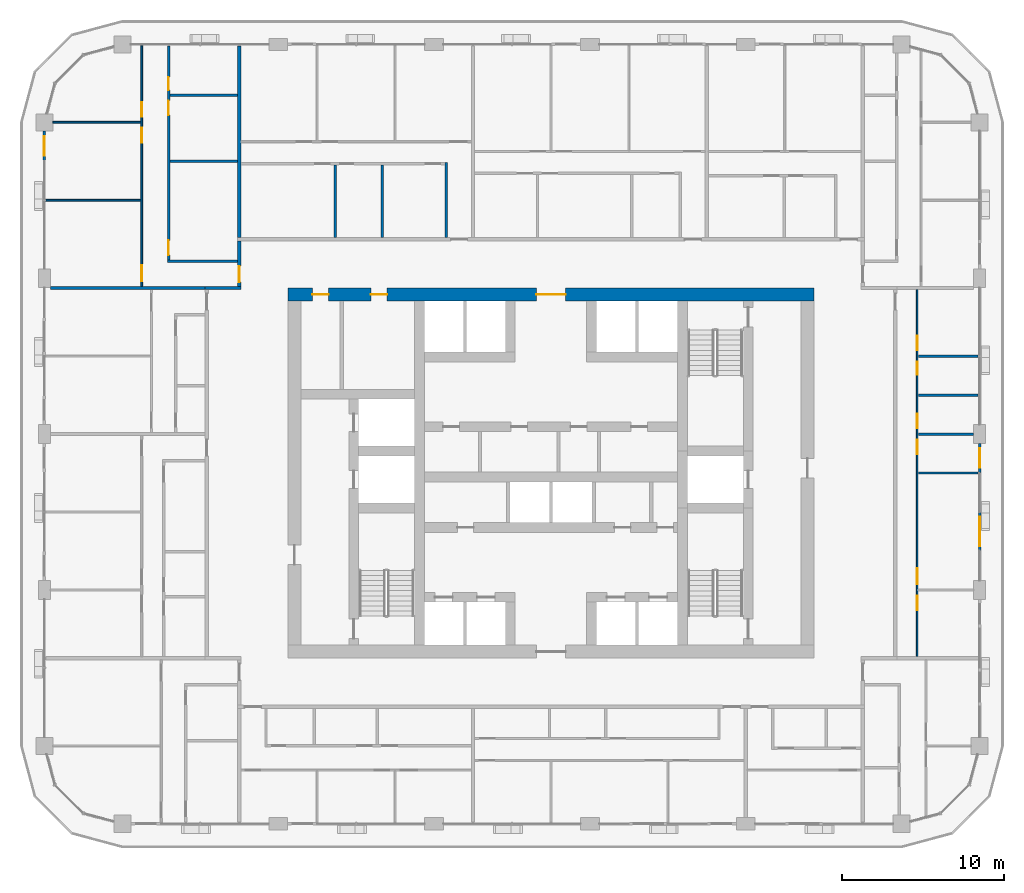
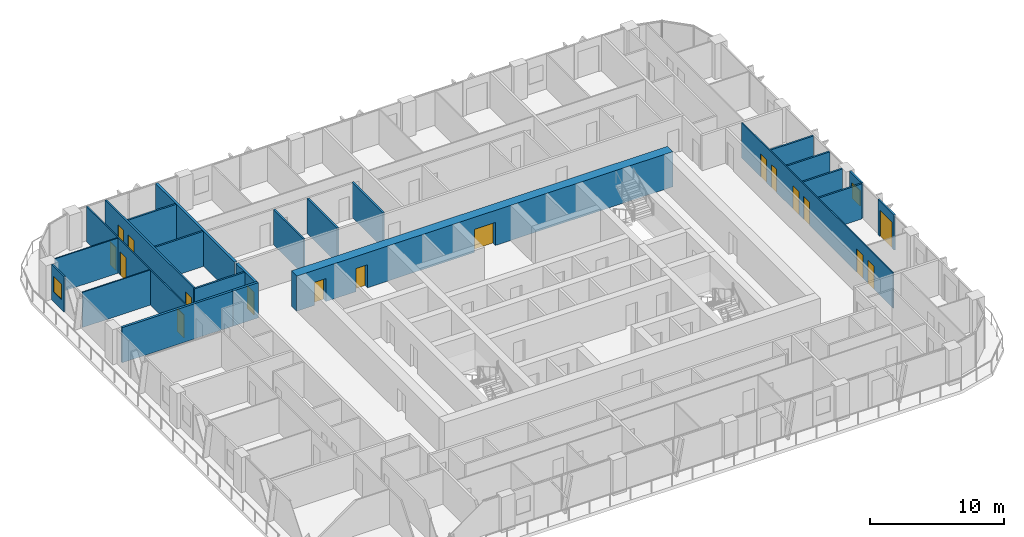
# One storey, part 13 of 22: 23 walls, 17 doors, 2 windows, 19 openings.
"""IFC4 building model written with IfcOpenShell, lengths in metres."""

from ifc_helpers import new_model, si_unit, direction, frame, frame_2d, origin, place, context, subcontext, project, spatial, rectangle, extrude, material, layer, layer_set, type_object, element, fill, save


model = new_model("IFC4")

# Units and contexts
model_context = context("Model", 3, precision=1e-05, world=origin(), true_north=direction((0.0, 1.0)))
body_context = subcontext(model_context, "Body", "Model", "MODEL_VIEW")
ifc_project = project(units=[si_unit("LENGTHUNIT", "METRE"), si_unit("AREAUNIT", "SQUARE_METRE"), si_unit("VOLUMEUNIT", "CUBIC_METRE"), si_unit("PLANEANGLEUNIT", "RADIAN"), si_unit("MASSUNIT", "GRAM", prefix="KILO")], contexts=[model_context])

# Site, building, storey
site_placement = place(None, origin())
site = spatial("IfcSite", under=ifc_project, at=site_placement, CompositionType="ELEMENT")
building_placement = place(site_placement, origin())
building = spatial("IfcBuilding", under=site, at=building_placement, Name="Madar Terraces", CompositionType="ELEMENT")
storey_placement = place(building_placement, frame((0.0, 0.0, 126.10009765625)))
storey = spatial("IfcBuildingStorey", under=building, at=storey_placement, Name="L32", CompositionType="ELEMENT", Elevation=126.10009765625)

# Wall, openings, doors
ifc_material_1 = material(Name="Concrete C70/85", Category="concrete")
ifc_layer_1 = layer(ifc_material_1, 0.800048828125)
ifc_layer_set_1 = layer_set([ifc_layer_1], Name="Concrete C70/85 (CRW3 RC wall 800)")
wall_type_1 = type_object("IfcWallType", Name="CRW3 RC wall 800", PredefinedType="SHEAR", material=ifc_layer_set_1)
wall_1_placement = place(storey_placement, frame((15.0, 37.39990234375, 0.0), z_axis=(0.0, 0.0, 1.0), x_axis=(1.0, 0.0, 0.0)))
wall_1 = element("IfcWall", 1, at=wall_1_placement, inside=storey, type_object=wall_type_1, Name="CORE OUTER WALL", PredefinedType="SHEAR", context=body_context, shape_type="SweptSolid", body=[
    extrude(rectangle(XDim=32.39990234375, YDim=0.800048828125, at=frame_2d((16.199951171875, 0.0))), origin(), (0.0, 0.0, 1.0), 3.199951171875),
])
opening_1_placement = place(wall_1_placement, frame((15.300048828125, 0.0, 0.0)))
opening_1 = element("IfcOpeningElement", 2, at=opening_1_placement, cuts=wall_1, Name="Opening KD1", PredefinedType="OPENING", context=body_context, shape_type="SweptSolid", body=[
    extrude(rectangle(XDim=1.800048828125, YDim=2.10009765625, at=frame_2d((0.89990234375, 1.050048828125))), frame((0.0, 0.409912109375, 0.0), z_axis=(0.0, -1.0, 0.0), x_axis=(1.0, 0.0, 0.0)), (0.0, 0.0, 1.0), 0.820068359375),
])
opening_2_placement = place(wall_1_placement, frame((1.510009765625, 0.0, 0.0)))
opening_2 = element("IfcOpeningElement", 3, at=opening_2_placement, cuts=wall_1, Name="Opening KD2", PredefinedType="OPENING", context=body_context, shape_type="SweptSolid", body=[
    extrude(rectangle(XDim=1.0, YDim=2.10009765625, at=frame_2d((0.5, 1.050048828125))), frame((0.0, 0.409912109375, 0.0), z_axis=(0.0, -1.0, 0.0), x_axis=(1.0, 0.0, 0.0)), (0.0, 0.0, 1.0), 0.820068359375),
])
opening_3_placement = place(wall_1_placement, frame((5.110107421875, 0.0, 0.0)))
opening_3 = element("IfcOpeningElement", 4, at=opening_3_placement, cuts=wall_1, Name="Opening KD2", PredefinedType="OPENING", context=body_context, shape_type="SweptSolid", body=[
    extrude(rectangle(XDim=1.0, YDim=2.10009765625, at=frame_2d((0.5, 1.050048828125))), frame((0.0, 0.409912109375, 0.0), z_axis=(0.0, -1.0, 0.0), x_axis=(1.0, 0.0, 0.0)), (0.0, 0.0, 1.0), 0.820068359375),
])
ifc_material_2 = material(Name="Steel door leaf", Category="steel")
door_type_1 = type_object("IfcDoorType", Name="Lobby door pair 1800 x 2100", OperationType="DOUBLE_DOOR_SINGLE_SWING", PredefinedType="DOOR", material=ifc_material_2)
door_1_placement = place(opening_1_placement, origin())
door_1 = element("IfcDoor", 5, at=door_1_placement, inside=storey, type_object=door_type_1, Name="LIFT LOBBY DOOR", OperationType="DOUBLE_DOOR_SINGLE_SWING", OverallHeight=2.10009765625, OverallWidth=1.800048828125, PredefinedType="DOOR", context=body_context, shape_type="SweptSolid", body=[
    extrude(rectangle(XDim=1.800048828125, YDim=2.10009765625, at=frame_2d((0.89990234375, 1.050048828125))), frame((0.0, 0.02490234375, 0.0), z_axis=(0.0, -1.0, 0.0), x_axis=(1.0, 0.0, 0.0)), (0.0, 0.0, 1.0), 0.050048828125),
])
fill(opening_1, door_1)
ifc_material_3 = material(Name="Steel door leaf", Category="steel")
door_type_2 = type_object("IfcDoorType", Name="Service room door 1000 x 2100", OperationType="NOTDEFINED", PredefinedType="DOOR", material=ifc_material_3)
door_2_placement = place(opening_2_placement, origin())
door_2 = element("IfcDoor", 6, at=door_2_placement, inside=storey, type_object=door_type_2, Name="SERVICE ROOM DOOR", OperationType="SINGLE_SWING_LEFT", OverallHeight=2.10009765625, OverallWidth=1.0, PredefinedType="DOOR", context=body_context, shape_type="SweptSolid", body=[
    extrude(rectangle(XDim=1.0, YDim=2.10009765625, at=frame_2d((0.5, 1.050048828125))), frame((0.0, 0.02490234375, 0.0), z_axis=(0.0, -1.0, 0.0), x_axis=(1.0, 0.0, 0.0)), (0.0, 0.0, 1.0), 0.050048828125),
])
fill(opening_2, door_2)
door_3_placement = place(opening_3_placement, origin())
door_3 = element("IfcDoor", 7, at=door_3_placement, inside=storey, type_object=door_type_2, Name="SERVICE ROOM DOOR", OperationType="SINGLE_SWING_RIGHT", OverallHeight=2.10009765625, OverallWidth=1.0, PredefinedType="DOOR", context=body_context, shape_type="SweptSolid", body=[
    extrude(rectangle(XDim=1.0, YDim=2.10009765625, at=frame_2d((0.5, 1.050048828125))), frame((0.0, 0.02490234375, 0.0), z_axis=(0.0, -1.0, 0.0), x_axis=(1.0, 0.0, 0.0)), (0.0, 0.0, 1.0), 0.050048828125),
])
fill(opening_3, door_3)

# Wall, opening, door
ifc_material_4 = material(Name="Aluminium composite panel, black, over insulated backing", Category="aluminium")
ifc_layer_2 = layer(ifc_material_4, 0.14990234375)
ifc_layer_set_2 = layer_set([ifc_layer_2], Name="Facade bay panel 150")
wall_type_2 = type_object("IfcWallType", Name="Facade bay panel 150", PredefinedType="SOLIDWALL", material=ifc_layer_set_2)
wall_2_placement = place(storey_placement, frame((57.60009765625, 21.60009765625, 0.0), z_axis=(0.0, 0.0, 1.0), x_axis=(0.0, 1.0, 0.0)))
wall_2 = element("IfcWall", 8, at=wall_2_placement, inside=storey, type_object=wall_type_2, Name="Facade bay panel", PredefinedType="SOLIDWALL", context=body_context, shape_type="SweptSolid", body=[
    extrude(rectangle(XDim=2.39990234375, YDim=0.14990234375, at=frame_2d((1.199951171875, 0.0))), origin(), (0.0, 0.0, 1.0), 3.199951171875),
])
opening_4_placement = place(wall_2_placement, frame((0.300048828125, 0.0, 0.0)))
opening_4 = element("IfcOpeningElement", 9, at=opening_4_placement, cuts=wall_2, Name="Opening ED1", PredefinedType="OPENING", context=body_context, shape_type="SweptSolid", body=[
    extrude(rectangle(XDim=1.800048828125, YDim=2.39990234375, at=frame_2d((0.89990234375, 1.199951171875))), frame((0.0, 0.0849609375, 0.0), z_axis=(0.0, -1.0, 0.0), x_axis=(1.0, 0.0, 0.0)), (0.0, 0.0, 1.0), 0.169921875),
])
ifc_material_5 = material(Name="Glass, clear, with black aluminium frame", Category="aluminium")
door_type_3 = type_object("IfcDoorType", Name="Balcony and terrace sliding door 1800 x 2400", OperationType="SLIDING_TO_LEFT", PredefinedType="DOOR", material=ifc_material_5)
door_4_placement = place(opening_4_placement, origin())
door_4 = element("IfcDoor", 10, at=door_4_placement, inside=storey, type_object=door_type_3, Name="Balcony door", OperationType="SLIDING_TO_RIGHT", OverallHeight=2.39990234375, OverallWidth=1.800048828125, PredefinedType="DOOR", context=body_context, shape_type="SweptSolid", body=[
    extrude(rectangle(XDim=1.800048828125, YDim=2.39990234375, at=frame_2d((0.89990234375, 1.199951171875))), frame((0.0, 0.02490234375, 0.0), z_axis=(0.0, -1.0, 0.0), x_axis=(1.0, 0.0, 0.0)), (0.0, 0.0, 1.0), 0.050048828125),
])
fill(opening_4, door_4)

# Wall, opening, window
wall_3_placement = place(storey_placement, frame((57.60009765625, 26.39990234375, 0.0), z_axis=(0.0, 0.0, 1.0), x_axis=(0.0, 1.0, 0.0)))
wall_3 = element("IfcWall", 11, at=wall_3_placement, inside=storey, type_object=wall_type_2, Name="Facade bay panel", PredefinedType="SOLIDWALL", context=body_context, shape_type="SweptSolid", body=[
    extrude(rectangle(XDim=1.8251953125, YDim=0.14990234375, at=frame_2d((0.91259765625, 0.0))), origin(), (0.0, 0.0, 1.0), 3.199951171875),
])
opening_5_placement = place(wall_3_placement, frame((0.3125, 0.0, 0.89990234375)))
opening_5 = element("IfcOpeningElement", 12, at=opening_5_placement, cuts=wall_3, Name="Opening W1", PredefinedType="OPENING", context=body_context, shape_type="SweptSolid", body=[
    extrude(rectangle(XDim=1.199951171875, YDim=1.39990234375, at=frame_2d((0.60009765625, 0.699951171875))), frame((0.0, 0.0849609375, 0.0), z_axis=(0.0, -1.0, 0.0), x_axis=(1.0, 0.0, 0.0)), (0.0, 0.0, 1.0), 0.169921875),
])
ifc_material_6 = material(Name="Glass, clear, with black aluminium frame", Category="aluminium")
window_type = type_object("IfcWindowType", Name="Vent window 1200 x 1400", PartitioningType="SINGLE_PANEL", PredefinedType="WINDOW", material=ifc_material_6)
window_1_placement = place(opening_5_placement, origin())
window_1 = element("IfcWindow", 13, at=window_1_placement, inside=storey, type_object=window_type, Name="Operable vent window", OverallHeight=1.39990234375, OverallWidth=1.199951171875, PartitioningType="SINGLE_PANEL", PredefinedType="WINDOW", context=body_context, shape_type="SweptSolid", body=[
    extrude(rectangle(XDim=1.199951171875, YDim=1.39990234375, at=frame_2d((0.60009765625, 0.699951171875))), frame((0.0, 0.030029296875, 0.0), z_axis=(0.0, -1.0, 0.0), x_axis=(1.0, 0.0, 0.0)), (0.0, 0.0, 1.0), 0.06005859375),
])
fill(opening_5, window_1)

wall_4_placement = place(storey_placement, frame((0.0, 47.47509765625, 0.0), z_axis=(0.0, 0.0, 1.0), x_axis=(0.0, -1.0, 0.0)))
wall_4 = element("IfcWall", 14, at=wall_4_placement, inside=storey, type_object=wall_type_2, Name="Facade bay panel", PredefinedType="SOLIDWALL", context=body_context, shape_type="SweptSolid", body=[
    extrude(rectangle(XDim=1.875, YDim=0.14990234375, at=frame_2d((0.9375, 0.0))), origin(), (0.0, 0.0, 1.0), 3.199951171875),
])
opening_6_placement = place(wall_4_placement, frame((0.33740234375, 0.0, 0.89990234375)))
opening_6 = element("IfcOpeningElement", 15, at=opening_6_placement, cuts=wall_4, Name="Opening W1", PredefinedType="OPENING", context=body_context, shape_type="SweptSolid", body=[
    extrude(rectangle(XDim=1.199951171875, YDim=1.39990234375, at=frame_2d((0.60009765625, 0.699951171875))), frame((0.0, 0.0849609375, 0.0), z_axis=(0.0, -1.0, 0.0), x_axis=(1.0, 0.0, 0.0)), (0.0, 0.0, 1.0), 0.169921875),
])
window_2_placement = place(opening_6_placement, origin())
window_2 = element("IfcWindow", 16, at=window_2_placement, inside=storey, type_object=window_type, Name="Operable vent window", OverallHeight=1.39990234375, OverallWidth=1.199951171875, PartitioningType="SINGLE_PANEL", PredefinedType="WINDOW", context=body_context, shape_type="SweptSolid", body=[
    extrude(rectangle(XDim=1.199951171875, YDim=1.39990234375, at=frame_2d((0.60009765625, 0.699951171875))), frame((0.0, 0.030029296875, 0.0), z_axis=(0.0, -1.0, 0.0), x_axis=(1.0, 0.0, 0.0)), (0.0, 0.0, 1.0), 0.06005859375),
])
fill(opening_6, window_2)

# Wall, openings, doors
ifc_material_7 = material(Name="Gypsum board on steel studs", Category="steel")
ifc_layer_3 = layer(ifc_material_7, 0.10009765625)
ifc_layer_set_3 = layer_set([ifc_layer_3], Name="Flat partition 100")
wall_type_3 = type_object("IfcWallType", Name="Flat partition 100", PredefinedType="PARTITIONING", material=ifc_layer_set_3)
wall_5_placement = place(storey_placement, frame((53.75, 37.699951171875, 0.0), z_axis=(0.0, 0.0, 1.0), x_axis=(0.0, -1.0, 0.0)))
wall_5 = element("IfcWall", 17, at=wall_5_placement, inside=storey, type_object=wall_type_3, Name="Flat partition 100", PredefinedType="PARTITIONING", context=body_context, shape_type="SweptSolid", body=[
    extrude(rectangle(XDim=22.599853515625, YDim=0.10009765625, at=frame_2d((11.2998046875, 0.0))), origin(), (0.0, 0.0, 1.0), 3.199951171875),
])
opening_7_placement = place(wall_5_placement, frame((2.85009765625, 0.0, 0.0)))
opening_7 = element("IfcOpeningElement", 18, at=opening_7_placement, cuts=wall_5, Name="Opening D2", PredefinedType="OPENING", context=body_context, shape_type="SweptSolid", body=[
    extrude(rectangle(XDim=0.89990234375, YDim=2.10009765625, at=frame_2d((0.449951171875, 1.050048828125))), frame((0.0, 0.06005859375, 0.0), z_axis=(0.0, -1.0, 0.0), x_axis=(1.0, 0.0, 0.0)), (0.0, 0.0, 1.0), 0.1201171875),
])
opening_8_placement = place(wall_5_placement, frame((4.449951171875, 0.0, 0.0)))
opening_8 = element("IfcOpeningElement", 19, at=opening_8_placement, cuts=wall_5, Name="Opening D4", PredefinedType="OPENING", context=body_context, shape_type="SweptSolid", body=[
    extrude(rectangle(XDim=0.800048828125, YDim=2.10009765625, at=frame_2d((0.39990234375, 1.050048828125))), frame((0.0, 0.06005859375, 0.0), z_axis=(0.0, -1.0, 0.0), x_axis=(1.0, 0.0, 0.0)), (0.0, 0.0, 1.0), 0.1201171875),
])
opening_9_placement = place(wall_5_placement, frame((7.64990234375, 0.0, 0.0)))
opening_9 = element("IfcOpeningElement", 20, at=opening_9_placement, cuts=wall_5, Name="Opening D5", PredefinedType="OPENING", context=body_context, shape_type="SweptSolid", body=[
    extrude(rectangle(XDim=0.89990234375, YDim=2.10009765625, at=frame_2d((0.449951171875, 1.050048828125))), frame((0.0, 0.06005859375, 0.0), z_axis=(0.0, -1.0, 0.0), x_axis=(1.0, 0.0, 0.0)), (0.0, 0.0, 1.0), 0.1201171875),
])
opening_10_placement = place(wall_5_placement, frame((9.25, 0.0, 0.0)))
opening_10 = element("IfcOpeningElement", 21, at=opening_10_placement, cuts=wall_5, Name="Opening D2", PredefinedType="OPENING", context=body_context, shape_type="SweptSolid", body=[
    extrude(rectangle(XDim=0.89990234375, YDim=2.10009765625, at=frame_2d((0.449951171875, 1.050048828125))), frame((0.0, 0.06005859375, 0.0), z_axis=(0.0, -1.0, 0.0), x_axis=(1.0, 0.0, 0.0)), (0.0, 0.0, 1.0), 0.1201171875),
])
opening_11_placement = place(wall_5_placement, frame((17.14990234375, 0.0, 0.0)))
opening_11 = element("IfcOpeningElement", 22, at=opening_11_placement, cuts=wall_5, Name="Opening D3", PredefinedType="OPENING", context=body_context, shape_type="SweptSolid", body=[
    extrude(rectangle(XDim=1.0, YDim=2.10009765625, at=frame_2d((0.5, 1.050048828125))), frame((0.0, 0.06005859375, 0.0), z_axis=(0.0, -1.0, 0.0), x_axis=(1.0, 0.0, 0.0)), (0.0, 0.0, 1.0), 0.1201171875),
])
opening_12_placement = place(wall_5_placement, frame((18.85009765625, 0.0, 0.0)))
opening_12 = element("IfcOpeningElement", 23, at=opening_12_placement, cuts=wall_5, Name="Opening D2", PredefinedType="OPENING", context=body_context, shape_type="SweptSolid", body=[
    extrude(rectangle(XDim=0.89990234375, YDim=2.10009765625, at=frame_2d((0.449951171875, 1.050048828125))), frame((0.0, 0.06005859375, 0.0), z_axis=(0.0, -1.0, 0.0), x_axis=(1.0, 0.0, 0.0)), (0.0, 0.0, 1.0), 0.1201171875),
])
ifc_material_8 = material(Name="Timber door leaf", Category="wood")
door_type_4 = type_object("IfcDoorType", Name="Flat accessible bathroom door 900", OperationType="NOTDEFINED", PredefinedType="DOOR", material=ifc_material_8)
door_5_placement = place(opening_9_placement, origin())
door_5 = element("IfcDoor", 24, at=door_5_placement, inside=storey, type_object=door_type_4, Name="Flat accessible bathroom door 900", OperationType="SINGLE_SWING_RIGHT", OverallHeight=2.10009765625, OverallWidth=0.89990234375, PredefinedType="DOOR", context=body_context, shape_type="SweptSolid", body=[
    extrude(rectangle(XDim=0.89990234375, YDim=2.10009765625, at=frame_2d((0.449951171875, 1.050048828125))), frame((0.0, 0.02490234375, 0.0), z_axis=(0.0, -1.0, 0.0), x_axis=(1.0, 0.0, 0.0)), (0.0, 0.0, 1.0), 0.050048828125),
])
fill(opening_9, door_5)
ifc_material_9 = material(Name="Timber door leaf", Category="wood")
door_type_5 = type_object("IfcDoorType", Name="Flat bathroom door 800", OperationType="NOTDEFINED", PredefinedType="DOOR", material=ifc_material_9)
door_6_placement = place(opening_8_placement, origin())
door_6 = element("IfcDoor", 25, at=door_6_placement, inside=storey, type_object=door_type_5, Name="Flat bathroom door 800", OperationType="SINGLE_SWING_LEFT", OverallHeight=2.10009765625, OverallWidth=0.800048828125, PredefinedType="DOOR", context=body_context, shape_type="SweptSolid", body=[
    extrude(rectangle(XDim=0.800048828125, YDim=2.10009765625, at=frame_2d((0.39990234375, 1.050048828125))), frame((0.0, 0.02490234375, 0.0), z_axis=(0.0, -1.0, 0.0), x_axis=(1.0, 0.0, 0.0)), (0.0, 0.0, 1.0), 0.050048828125),
])
fill(opening_8, door_6)
ifc_material_10 = material(Name="Timber door leaf", Category="wood")
door_type_6 = type_object("IfcDoorType", Name="Flat living room door 1000", OperationType="NOTDEFINED", PredefinedType="DOOR", material=ifc_material_10)
door_7_placement = place(opening_11_placement, origin())
door_7 = element("IfcDoor", 26, at=door_7_placement, inside=storey, type_object=door_type_6, Name="Flat living room door 1000", OperationType="SINGLE_SWING_RIGHT", OverallHeight=2.10009765625, OverallWidth=1.0, PredefinedType="DOOR", context=body_context, shape_type="SweptSolid", body=[
    extrude(rectangle(XDim=1.0, YDim=2.10009765625, at=frame_2d((0.5, 1.050048828125))), frame((0.0, 0.02490234375, 0.0), z_axis=(0.0, -1.0, 0.0), x_axis=(1.0, 0.0, 0.0)), (0.0, 0.0, 1.0), 0.050048828125),
])
fill(opening_11, door_7)
ifc_material_11 = material(Name="Timber door leaf", Category="wood")
door_type_7 = type_object("IfcDoorType", Name="Flat room door 900", OperationType="NOTDEFINED", PredefinedType="DOOR", material=ifc_material_11)
door_8_placement = place(opening_7_placement, origin())
door_8 = element("IfcDoor", 27, at=door_8_placement, inside=storey, type_object=door_type_7, Name="Flat room door 900", OperationType="SINGLE_SWING_RIGHT", OverallHeight=2.10009765625, OverallWidth=0.89990234375, PredefinedType="DOOR", context=body_context, shape_type="SweptSolid", body=[
    extrude(rectangle(XDim=0.89990234375, YDim=2.10009765625, at=frame_2d((0.449951171875, 1.050048828125))), frame((0.0, 0.02490234375, 0.0), z_axis=(0.0, -1.0, 0.0), x_axis=(1.0, 0.0, 0.0)), (0.0, 0.0, 1.0), 0.050048828125),
])
fill(opening_7, door_8)
door_9_placement = place(opening_10_placement, origin())
door_9 = element("IfcDoor", 28, at=door_9_placement, inside=storey, type_object=door_type_7, Name="Flat room door 900", OperationType="SINGLE_SWING_LEFT", OverallHeight=2.10009765625, OverallWidth=0.89990234375, PredefinedType="DOOR", context=body_context, shape_type="SweptSolid", body=[
    extrude(rectangle(XDim=0.89990234375, YDim=2.10009765625, at=frame_2d((0.449951171875, 1.050048828125))), frame((0.0, 0.02490234375, 0.0), z_axis=(0.0, -1.0, 0.0), x_axis=(1.0, 0.0, 0.0)), (0.0, 0.0, 1.0), 0.050048828125),
])
fill(opening_10, door_9)
door_10_placement = place(opening_12_placement, origin())
door_10 = element("IfcDoor", 29, at=door_10_placement, inside=storey, type_object=door_type_7, Name="Flat room door 900", OperationType="SINGLE_SWING_LEFT", OverallHeight=2.10009765625, OverallWidth=0.89990234375, PredefinedType="DOOR", context=body_context, shape_type="SweptSolid", body=[
    extrude(rectangle(XDim=0.89990234375, YDim=2.10009765625, at=frame_2d((0.449951171875, 1.050048828125))), frame((0.0, 0.02490234375, 0.0), z_axis=(0.0, -1.0, 0.0), x_axis=(1.0, 0.0, 0.0)), (0.0, 0.0, 1.0), 0.050048828125),
])
fill(opening_12, door_10)

# Walls
wall_6_placement = place(storey_placement, frame((5.949951171875, 43.199951171875, 0.0), z_axis=(0.0, 0.0, 1.0), x_axis=(-1.0, 0.0, 0.0)))
element("IfcWall", 30, at=wall_6_placement, inside=storey, type_object=wall_type_3, Name="Flat partition 100", PredefinedType="PARTITIONING", context=body_context, shape_type="SweptSolid", body=[
    extrude(rectangle(XDim=5.849853515625, YDim=0.10009765625, at=frame_2d((2.9248046875, 0.0))), origin(), (0.0, 0.0, 1.0), 3.199951171875),
])
wall_7_placement = place(storey_placement, frame((5.949951171875, 48.0, 0.0), z_axis=(0.0, 0.0, 1.0), x_axis=(-1.0, 0.0, 0.0)))
element("IfcWall", 31, at=wall_7_placement, inside=storey, type_object=wall_type_3, Name="Flat partition 100", PredefinedType="PARTITIONING", context=body_context, shape_type="SweptSolid", body=[
    extrude(rectangle(XDim=5.425048828125, YDim=0.10009765625, at=frame_2d((2.71240234375, 0.0))), origin(), (0.0, 0.0, 1.0), 3.199951171875),
])

# Wall, openings, doors
wall_8_placement = place(storey_placement, frame((6.0, 37.89990234375, 0.0), z_axis=(0.0, 0.0, 1.0), x_axis=(0.0, 1.0, 0.0)))
wall_8 = element("IfcWall", 32, at=wall_8_placement, inside=storey, type_object=wall_type_3, Name="Flat partition 100", PredefinedType="PARTITIONING", context=body_context, shape_type="SweptSolid", body=[
    extrude(rectangle(XDim=14.800048828125, YDim=0.10009765625, at=frame_2d((7.39990234375, 0.0))), origin(), (0.0, 0.0, 1.0), 3.199951171875),
])
opening_13_placement = place(wall_8_placement, frame((0.300048828125, 0.0, 0.0)))
opening_13 = element("IfcOpeningElement", 33, at=opening_13_placement, cuts=wall_8, Name="Opening D3", PredefinedType="OPENING", context=body_context, shape_type="SweptSolid", body=[
    extrude(rectangle(XDim=1.0, YDim=2.10009765625, at=frame_2d((0.5, 1.050048828125))), frame((0.0, 0.06005859375, 0.0), z_axis=(0.0, -1.0, 0.0), x_axis=(1.0, 0.0, 0.0)), (0.0, 0.0, 1.0), 0.1201171875),
])
opening_14_placement = place(wall_8_placement, frame((8.85009765625, 0.0, 0.0)))
opening_14 = element("IfcOpeningElement", 34, at=opening_14_placement, cuts=wall_8, Name="Opening D2", PredefinedType="OPENING", context=body_context, shape_type="SweptSolid", body=[
    extrude(rectangle(XDim=0.89990234375, YDim=2.10009765625, at=frame_2d((0.449951171875, 1.050048828125))), frame((0.0, 0.06005859375, 0.0), z_axis=(0.0, -1.0, 0.0), x_axis=(1.0, 0.0, 0.0)), (0.0, 0.0, 1.0), 0.1201171875),
])
opening_15_placement = place(wall_8_placement, frame((10.449951171875, 0.0, 0.0)))
opening_15 = element("IfcOpeningElement", 35, at=opening_15_placement, cuts=wall_8, Name="Opening D2", PredefinedType="OPENING", context=body_context, shape_type="SweptSolid", body=[
    extrude(rectangle(XDim=0.89990234375, YDim=2.10009765625, at=frame_2d((0.449951171875, 1.050048828125))), frame((0.0, 0.06005859375, 0.0), z_axis=(0.0, -1.0, 0.0), x_axis=(1.0, 0.0, 0.0)), (0.0, 0.0, 1.0), 0.1201171875),
])
door_11_placement = place(opening_13_placement, origin())
door_11 = element("IfcDoor", 36, at=door_11_placement, inside=storey, type_object=door_type_6, Name="Flat living room door 1000", OperationType="SINGLE_SWING_LEFT", OverallHeight=2.10009765625, OverallWidth=1.0, PredefinedType="DOOR", context=body_context, shape_type="SweptSolid", body=[
    extrude(rectangle(XDim=1.0, YDim=2.10009765625, at=frame_2d((0.5, 1.050048828125))), frame((0.0, 0.02490234375, 0.0), z_axis=(0.0, -1.0, 0.0), x_axis=(1.0, 0.0, 0.0)), (0.0, 0.0, 1.0), 0.050048828125),
])
fill(opening_13, door_11)
door_12_placement = place(opening_14_placement, origin())
door_12 = element("IfcDoor", 37, at=door_12_placement, inside=storey, type_object=door_type_7, Name="Flat room door 900", OperationType="SINGLE_SWING_RIGHT", OverallHeight=2.10009765625, OverallWidth=0.89990234375, PredefinedType="DOOR", context=body_context, shape_type="SweptSolid", body=[
    extrude(rectangle(XDim=0.89990234375, YDim=2.10009765625, at=frame_2d((0.449951171875, 1.050048828125))), frame((0.0, 0.02490234375, 0.0), z_axis=(0.0, -1.0, 0.0), x_axis=(1.0, 0.0, 0.0)), (0.0, 0.0, 1.0), 0.050048828125),
])
fill(opening_14, door_12)
door_13_placement = place(opening_15_placement, origin())
door_13 = element("IfcDoor", 38, at=door_13_placement, inside=storey, type_object=door_type_7, Name="Flat room door 900", OperationType="SINGLE_SWING_LEFT", OverallHeight=2.10009765625, OverallWidth=0.89990234375, PredefinedType="DOOR", context=body_context, shape_type="SweptSolid", body=[
    extrude(rectangle(XDim=0.89990234375, YDim=2.10009765625, at=frame_2d((0.449951171875, 1.050048828125))), frame((0.0, 0.02490234375, 0.0), z_axis=(0.0, -1.0, 0.0), x_axis=(1.0, 0.0, 0.0)), (0.0, 0.0, 1.0), 0.050048828125),
])
fill(opening_15, door_13)

# Wall, opening, door
ifc_material_12 = material(Name="Lightweight blockwork", Category="masonry")
ifc_layer_4 = layer(ifc_material_12, 0.199951171875)
ifc_layer_set_4 = layer_set([ifc_layer_4], Name="Flat party and entrance wall 200")
wall_type_4 = type_object("IfcWallType", Name="Flat party and entrance wall 200", PredefinedType="PARTITIONING", material=ifc_layer_set_4)
wall_9_placement = place(storey_placement, frame((12.0, 37.89990234375, 0.0), z_axis=(0.0, 0.0, 1.0), x_axis=(0.0, 1.0, 0.0)))
wall_9 = element("IfcWall", 39, at=wall_9_placement, inside=storey, type_object=wall_type_4, Name="Flat party and entrance wall 200", PredefinedType="PARTITIONING", context=body_context, shape_type="SweptSolid", body=[
    extrude(rectangle(XDim=2.800048828125, YDim=0.199951171875, at=frame_2d((1.39990234375, 0.0))), origin(), (0.0, 0.0, 1.0), 3.199951171875),
])
opening_16_placement = place(wall_9_placement, frame((0.25, 0.0, 0.0)))
opening_16 = element("IfcOpeningElement", 40, at=opening_16_placement, cuts=wall_9, Name="Opening D1", PredefinedType="OPENING", context=body_context, shape_type="SweptSolid", body=[
    extrude(rectangle(XDim=1.0, YDim=2.10009765625, at=frame_2d((0.5, 1.050048828125))), frame((0.0, 0.10986328125, 0.0), z_axis=(0.0, -1.0, 0.0), x_axis=(1.0, 0.0, 0.0)), (0.0, 0.0, 1.0), 0.219970703125),
])
ifc_material_13 = material(Name="Timber fire door leaf", Category="wood")
door_type_8 = type_object("IfcDoorType", Name="Flat entrance door 1000 FD30S", OperationType="NOTDEFINED", PredefinedType="DOOR", material=ifc_material_13)
door_14_placement = place(opening_16_placement, origin())
door_14 = element("IfcDoor", 41, at=door_14_placement, inside=storey, type_object=door_type_8, Name="Flat entrance door 1000 FD30S", OperationType="SINGLE_SWING_LEFT", OverallHeight=2.10009765625, OverallWidth=1.0, PredefinedType="DOOR", context=body_context, shape_type="SweptSolid", body=[
    extrude(rectangle(XDim=1.0, YDim=2.10009765625, at=frame_2d((0.5, 1.050048828125))), frame((0.0, 0.02490234375, 0.0), z_axis=(0.0, -1.0, 0.0), x_axis=(1.0, 0.0, 0.0)), (0.0, 0.0, 1.0), 0.050048828125),
])
fill(opening_16, door_14)

# Walls
wall_10_placement = place(storey_placement, frame((12.10009765625, 37.800048828125, 0.0), z_axis=(0.0, 0.0, 1.0), x_axis=(-1.0, 0.0, 0.0)))
element("IfcWall", 42, at=wall_10_placement, inside=storey, type_object=wall_type_4, Name="Flat party and entrance wall 200", PredefinedType="PARTITIONING", context=body_context, shape_type="SweptSolid", body=[
    extrude(rectangle(XDim=2.2001953125, YDim=0.199951171875, at=frame_2d((1.10009765625, 0.0))), origin(), (0.0, 0.0, 1.0), 3.199951171875),
])
wall_11_placement = place(storey_placement, frame((12.0, 52.699951171875, 0.0), z_axis=(0.0, 0.0, 1.0), x_axis=(0.0, -1.0, 0.0)))
element("IfcWall", 43, at=wall_11_placement, inside=storey, type_object=wall_type_4, Name="Flat party and entrance wall 200", PredefinedType="PARTITIONING", context=body_context, shape_type="SweptSolid", body=[
    extrude(rectangle(XDim=11.800048828125, YDim=0.199951171875, at=frame_2d((5.89990234375, 0.0))), origin(), (0.0, 0.0, 1.0), 3.199951171875),
])
wall_12_placement = place(storey_placement, frame((0.375, 37.800048828125, 0.0), z_axis=(0.0, 0.0, 1.0), x_axis=(1.0, 0.0, 0.0)))
element("IfcWall", 44, at=wall_12_placement, inside=storey, type_object=wall_type_4, Name="Flat party and entrance wall 200", PredefinedType="PARTITIONING", context=body_context, shape_type="SweptSolid", body=[
    extrude(rectangle(XDim=9.52490234375, YDim=0.199951171875, at=frame_2d((4.762451171875, 0.0))), origin(), (0.0, 0.0, 1.0), 3.199951171875),
])
ifc_material_14 = material(Name="Lightweight blockwork", Category="masonry")
ifc_layer_5 = layer(ifc_material_14, 0.14990234375)
ifc_layer_set_5 = layer_set([ifc_layer_5], Name="Flat wet-room partition 150")
wall_type_5 = type_object("IfcWallType", Name="Flat wet-room partition 150", PredefinedType="PARTITIONING", material=ifc_layer_set_5)
for number, where, z_axis, x_axis, name in (
    (45, (53.824951171875, 33.60009765625, 0.0), (0.0, 0.0, 1.0), (1.0, 0.0, 0.0), "Flat wet-room partition 150"),
    (46, (53.824951171875, 31.199951171875, 0.0), (0.0, 0.0, 1.0), (1.0, 0.0, 0.0), "Flat wet-room partition 150"),
):
    element("IfcWall", number, at=place(storey_placement, frame(where, z_axis=z_axis, x_axis=x_axis)), inside=storey, type_object=wall_type_5, Name=name, PredefinedType="PARTITIONING", context=body_context, shape_type="SweptSolid", body=[
        extrude(rectangle(XDim=3.675048828125, YDim=0.14990234375, at=frame_2d((1.83740234375, 0.0))), origin(), (0.0, 0.0, 1.0), 3.199951171875),
    ])
wall_13_placement = place(storey_placement, frame((53.824951171875, 28.800048828125, 0.0), z_axis=(0.0, 0.0, 1.0), x_axis=(1.0, 0.0, 0.0)))
element("IfcWall", 47, at=wall_13_placement, inside=storey, type_object=wall_type_5, Name="Flat wet-room partition 150", PredefinedType="PARTITIONING", context=body_context, shape_type="SweptSolid", body=[
    extrude(rectangle(XDim=3.400146484375, YDim=0.14990234375, at=frame_2d((1.7001953125, 0.0))), origin(), (0.0, 0.0, 1.0), 3.199951171875),
])
wall_14_placement = place(storey_placement, frame((53.824951171875, 26.39990234375, 0.0), z_axis=(0.0, 0.0, 1.0), x_axis=(1.0, 0.0, 0.0)))
element("IfcWall", 48, at=wall_14_placement, inside=storey, type_object=wall_type_5, Name="Flat wet-room partition 150", PredefinedType="PARTITIONING", context=body_context, shape_type="SweptSolid", body=[
    extrude(rectangle(XDim=3.675048828125, YDim=0.14990234375, at=frame_2d((1.83740234375, 0.0))), origin(), (0.0, 0.0, 1.0), 3.199951171875),
])
for number, where, z_axis, x_axis, name in (
    (49, (20.805908203125, 40.89990234375, 0.0), (0.0, 0.0, 1.0), (0.0, 1.0, 0.0), "Flat wet-room partition 150"),
    (50, (17.90380859375, 40.89990234375, 0.0), (0.0, 0.0, 1.0), (0.0, 1.0, 0.0), "Flat wet-room partition 150"),
):
    element("IfcWall", number, at=place(storey_placement, frame(where, z_axis=z_axis, x_axis=x_axis)), inside=storey, type_object=wall_type_5, Name=name, PredefinedType="PARTITIONING", context=body_context, shape_type="SweptSolid", body=[
        extrude(rectangle(XDim=4.47509765625, YDim=0.14990234375, at=frame_2d((2.237548828125, 0.0))), origin(), (0.0, 0.0, 1.0), 3.199951171875),
    ])
wall_15_placement = place(storey_placement, frame((24.75, 40.89990234375, 0.0), z_axis=(0.0, 0.0, 1.0), x_axis=(0.0, 1.0, 0.0)))
element("IfcWall", 51, at=wall_15_placement, inside=storey, type_object=wall_type_5, Name="Flat wet-room partition 150", PredefinedType="PARTITIONING", context=body_context, shape_type="SweptSolid", body=[
    extrude(rectangle(XDim=4.625, YDim=0.14990234375, at=frame_2d((2.3125, 0.0))), origin(), (0.0, 0.0, 1.0), 3.199951171875),
])
for number, where, z_axis, x_axis, name in (
    (52, (11.89990234375, 45.605712890625, 0.0), (0.0, 0.0, 1.0), (-1.0, 0.0, 0.0), "Flat wet-room partition 150"),
    (53, (11.89990234375, 49.65966796875, 0.0), (0.0, 0.0, 1.0), (-1.0, 0.0, 0.0), "Flat wet-room partition 150"),
):
    element("IfcWall", number, at=place(storey_placement, frame(where, z_axis=z_axis, x_axis=x_axis)), inside=storey, type_object=wall_type_5, Name=name, PredefinedType="PARTITIONING", context=body_context, shape_type="SweptSolid", body=[
        extrude(rectangle(XDim=4.1748046875, YDim=0.14990234375, at=frame_2d((2.08740234375, 0.0))), origin(), (0.0, 0.0, 1.0), 3.199951171875),
    ])
wall_16_placement = place(storey_placement, frame((11.89990234375, 39.449951171875, 0.0), z_axis=(0.0, 0.0, 1.0), x_axis=(-1.0, 0.0, 0.0)))
element("IfcWall", 54, at=wall_16_placement, inside=storey, type_object=wall_type_5, Name="Flat wet-room partition 150", PredefinedType="PARTITIONING", context=body_context, shape_type="SweptSolid", body=[
    extrude(rectangle(XDim=4.324951171875, YDim=0.14990234375, at=frame_2d((2.16259765625, 0.0))), origin(), (0.0, 0.0, 1.0), 3.199951171875),
])

# Wall, openings, doors
wall_17_placement = place(storey_placement, frame((7.64990234375, 52.699951171875, 0.0), z_axis=(0.0, 0.0, 1.0), x_axis=(0.0, -1.0, 0.0)))
wall_17 = element("IfcWall", 55, at=wall_17_placement, inside=storey, type_object=wall_type_5, Name="Flat wet-room partition 150", PredefinedType="PARTITIONING", context=body_context, shape_type="SweptSolid", body=[
    extrude(rectangle(XDim=13.175048828125, YDim=0.14990234375, at=frame_2d((6.58740234375, 0.0))), origin(), (0.0, 0.0, 1.0), 3.199951171875),
])
opening_17_placement = place(wall_17_placement, frame((11.97509765625, 0.0, 0.0)))
opening_17 = element("IfcOpeningElement", 56, at=opening_17_placement, cuts=wall_17, Name="Opening D2", PredefinedType="OPENING", context=body_context, shape_type="SweptSolid", body=[
    extrude(rectangle(XDim=0.89990234375, YDim=2.10009765625, at=frame_2d((0.449951171875, 1.050048828125))), frame((0.0, 0.0849609375, 0.0), z_axis=(0.0, -1.0, 0.0), x_axis=(1.0, 0.0, 0.0)), (0.0, 0.0, 1.0), 0.169921875),
])
opening_18_placement = place(wall_17_placement, frame((3.365478515625, 0.0, 0.0)))
opening_18 = element("IfcOpeningElement", 57, at=opening_18_placement, cuts=wall_17, Name="Opening D5", PredefinedType="OPENING", context=body_context, shape_type="SweptSolid", body=[
    extrude(rectangle(XDim=0.89990234375, YDim=2.10009765625, at=frame_2d((0.449951171875, 1.050048828125))), frame((0.0, 0.0849609375, 0.0), z_axis=(0.0, -1.0, 0.0), x_axis=(1.0, 0.0, 0.0)), (0.0, 0.0, 1.0), 0.169921875),
])
opening_19_placement = place(wall_17_placement, frame((1.915283203125, 0.0, 0.0)))
opening_19 = element("IfcOpeningElement", 58, at=opening_19_placement, cuts=wall_17, Name="Opening D4", PredefinedType="OPENING", context=body_context, shape_type="SweptSolid", body=[
    extrude(rectangle(XDim=0.800048828125, YDim=2.10009765625, at=frame_2d((0.39990234375, 1.050048828125))), frame((0.0, 0.0849609375, 0.0), z_axis=(0.0, -1.0, 0.0), x_axis=(1.0, 0.0, 0.0)), (0.0, 0.0, 1.0), 0.169921875),
])
door_15_placement = place(opening_18_placement, origin())
door_15 = element("IfcDoor", 59, at=door_15_placement, inside=storey, type_object=door_type_4, Name="Flat accessible bathroom door 900", OperationType="SINGLE_SWING_LEFT", OverallHeight=2.10009765625, OverallWidth=0.89990234375, PredefinedType="DOOR", context=body_context, shape_type="SweptSolid", body=[
    extrude(rectangle(XDim=0.89990234375, YDim=2.10009765625, at=frame_2d((0.449951171875, 1.050048828125))), frame((0.0, 0.02490234375, 0.0), z_axis=(0.0, -1.0, 0.0), x_axis=(1.0, 0.0, 0.0)), (0.0, 0.0, 1.0), 0.050048828125),
])
fill(opening_18, door_15)
door_16_placement = place(opening_19_placement, origin())
door_16 = element("IfcDoor", 60, at=door_16_placement, inside=storey, type_object=door_type_5, Name="Flat bathroom door 800", OperationType="SINGLE_SWING_RIGHT", OverallHeight=2.10009765625, OverallWidth=0.800048828125, PredefinedType="DOOR", context=body_context, shape_type="SweptSolid", body=[
    extrude(rectangle(XDim=0.800048828125, YDim=2.10009765625, at=frame_2d((0.39990234375, 1.050048828125))), frame((0.0, 0.02490234375, 0.0), z_axis=(0.0, -1.0, 0.0), x_axis=(1.0, 0.0, 0.0)), (0.0, 0.0, 1.0), 0.050048828125),
])
fill(opening_19, door_16)
door_17_placement = place(opening_17_placement, origin())
door_17 = element("IfcDoor", 61, at=door_17_placement, inside=storey, type_object=door_type_7, Name="Flat room door 900", OperationType="SINGLE_SWING_RIGHT", OverallHeight=2.10009765625, OverallWidth=0.89990234375, PredefinedType="DOOR", context=body_context, shape_type="SweptSolid", body=[
    extrude(rectangle(XDim=0.89990234375, YDim=2.10009765625, at=frame_2d((0.449951171875, 1.050048828125))), frame((0.0, 0.02490234375, 0.0), z_axis=(0.0, -1.0, 0.0), x_axis=(1.0, 0.0, 0.0)), (0.0, 0.0, 1.0), 0.050048828125),
])
fill(opening_17, door_17)

save(model, "model.ifc")
